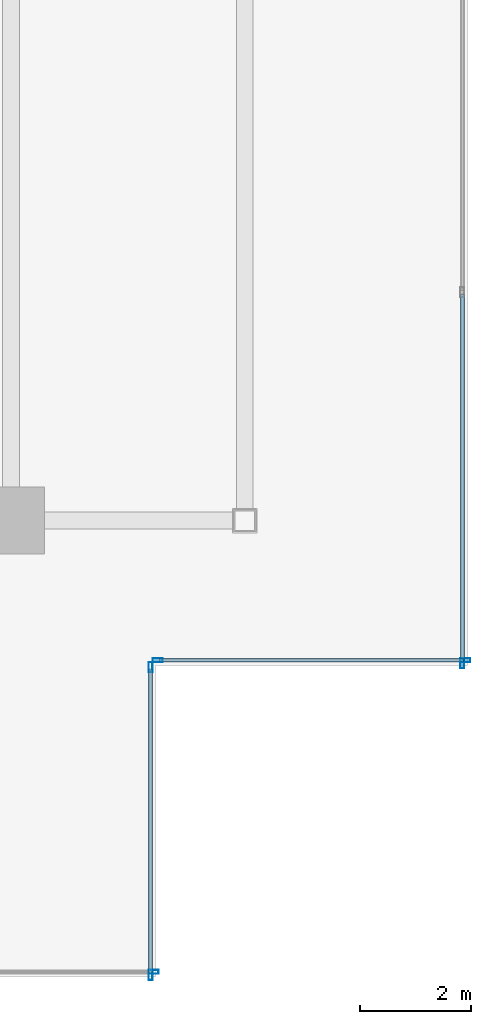
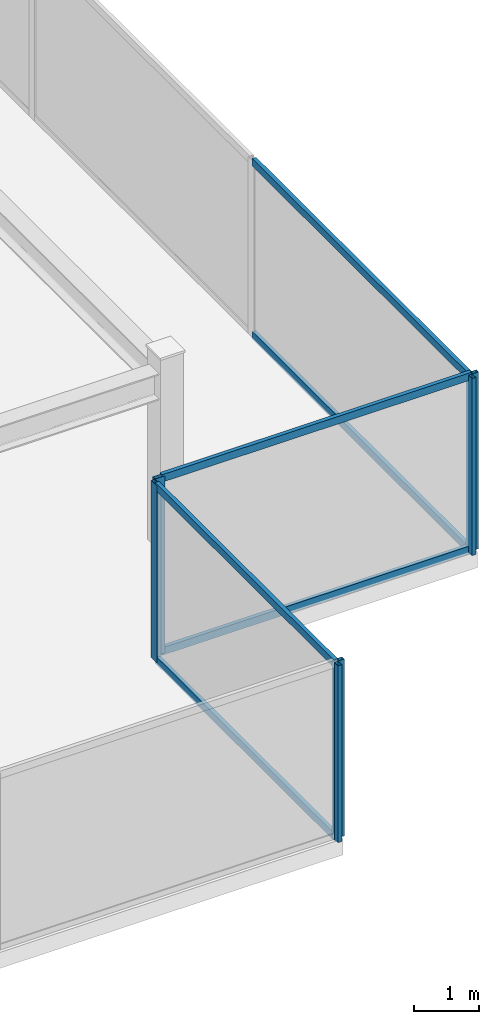
# One storey, part 16 of 25: 12 members, 4 elements without a shape of their own.
"""IFC4 building model written with IfcOpenShell, lengths in metres."""

from ifc_helpers import new_model, si_unit, direction, frame, origin, origin_2d, place, context, subcontext, project, spatial, hollow_rectangle, extrude, source, transform, mapped, material, material_profile, profile_set, type_object, type_shapes, element, aggregate, save


model = new_model("IFC4")

# Units and contexts
model_context = context("Model", 3, precision=1e-05, world=origin(), true_north=direction((0.0, 1.0)))
body_context = subcontext(model_context, "Body", "Model", "MODEL_VIEW")
ifc_project = project(units=[si_unit("LENGTHUNIT", "METRE"), si_unit("AREAUNIT", "SQUARE_METRE"), si_unit("VOLUMEUNIT", "CUBIC_METRE"), si_unit("PLANEANGLEUNIT", "RADIAN"), si_unit("MASSUNIT", "GRAM", prefix="KILO")], contexts=[model_context])

# Site, building, storey
site_placement = place(None, origin())
site = spatial("IfcSite", under=ifc_project, at=site_placement, CompositionType="ELEMENT")
building_placement = place(site_placement, origin())
building = spatial("IfcBuilding", under=site, at=building_placement, Name="Krantzveldt Concourse Tower", CompositionType="ELEMENT")
storey_placement = place(building_placement, frame((0.0, 0.0, 374.64990234375)))
storey = spatial("IfcBuildingStorey", under=building, at=storey_placement, Name="L92", CompositionType="ELEMENT", Elevation=374.64990234375)

# Curtain wall, members
ifc_material = material(Name="Anodised aluminium 6063-T6", Category="aluminium")
curtain_wall_type = type_object("IfcCurtainWallType", Name="CW7", PredefinedType="USERDEFINED", material=ifc_material)
curtain_wall_1_placement = place(storey_placement, origin())
curtain_wall_1 = element("IfcCurtainWall", 1, at=curtain_wall_1_placement, inside=storey, type_object=curtain_wall_type, Name="CW-L92-EAST-03", ObjectType="UNITISED CURTAIN WALL", PredefinedType="USERDEFINED")
ifc_material_profile_1 = material_profile(ifc_material, hollow_rectangle(XDim=0.070068359375, YDim=0.139892578125, WallThickness=0.0048828125, at=origin_2d()), Name="Anodised aluminium 6063-T6", Category="aluminium")
ifc_profile_set_1 = profile_set([ifc_material_profile_1], Name="Anodised aluminium 6063-T6 - ALU-TRAN 140x70x5")
member_type_1 = type_object("IfcMemberType", Name="CW-TRN-150", PredefinedType="USERDEFINED", material=ifc_profile_set_1)
shared_shape_1 = source(origin(), body_context, "Body", "SweptSolid", [
    extrude(hollow_rectangle(XDim=0.070068359375, YDim=0.139892578125, WallThickness=0.0048828125, at=origin_2d()), origin(), (0.0, 0.0, 1.0), 6.594970703125),
])
member_1_placement = place(storey_placement, frame((54.909912109375, 13.3701171875, 0.03515625), z_axis=(0.0, 1.0, 0.0), x_axis=(-1.0, 0.0, 0.0)))
member_1 = element("IfcMember", 2, at=member_1_placement, type_object=member_type_1, Name="CW-CRN transom 1.1", ObjectType="TRANSOM", PredefinedType="USERDEFINED", context=body_context, shape_type="MappedRepresentation", body=[
    mapped(shared_shape_1, transform((0.0, 0.0, 0.0), x_axis=(1.0, 0.0, 0.0), y_axis=(0.0, 1.0, 0.0), z_axis=(0.0, 0.0, 1.0), scale=1.0)),
])
member_2_placement = place(storey_placement, frame((54.909912109375, 13.3701171875, 3.26513671875), z_axis=(0.0, 1.0, 0.0), x_axis=(-1.0, 0.0, 0.0)))
member_2 = element("IfcMember", 3, at=member_2_placement, type_object=member_type_1, Name="CW-CRN transom 1.2", ObjectType="TRANSOM", PredefinedType="USERDEFINED", context=body_context, shape_type="MappedRepresentation", body=[
    mapped(shared_shape_1, transform((0.0, 0.0, 0.0), x_axis=(1.0, 0.0, 0.0), y_axis=(0.0, 1.0, 0.0), z_axis=(0.0, 0.0, 1.0), scale=1.0)),
])

curtain_wall_2_placement = place(storey_placement, origin())
curtain_wall_2 = element("IfcCurtainWall", 4, at=curtain_wall_2_placement, inside=storey, type_object=curtain_wall_type, Name="CW-L92-EAST-01", ObjectType="UNITISED CURTAIN WALL", PredefinedType="USERDEFINED")
shared_shape_2 = source(origin(), body_context, "Body", "SweptSolid", [
    extrude(hollow_rectangle(XDim=0.070068359375, YDim=0.139892578125, WallThickness=0.0048828125, at=origin_2d()), origin(), (0.0, 0.0, 1.0), 5.4599609375),
])
type_shapes(member_type_1, [shared_shape_1, shared_shape_2])
member_3_placement = place(storey_placement, frame((49.31005859375, 7.77001953125, 0.03515625), z_axis=(0.0, 1.0, 0.0), x_axis=(-1.0, 0.0, 0.0)))
member_3 = element("IfcMember", 5, at=member_3_placement, type_object=member_type_1, Name="CW-CRN transom 1.1", ObjectType="TRANSOM", PredefinedType="USERDEFINED", context=body_context, shape_type="MappedRepresentation", body=[
    mapped(shared_shape_2, transform((0.0, 0.0, 0.0), x_axis=(1.0, 0.0, 0.0), y_axis=(0.0, 1.0, 0.0), z_axis=(0.0, 0.0, 1.0), scale=1.0)),
])
member_4_placement = place(storey_placement, frame((49.31005859375, 7.77001953125, 3.26513671875), z_axis=(0.0, 1.0, 0.0), x_axis=(-1.0, 0.0, 0.0)))
member_4 = element("IfcMember", 6, at=member_4_placement, type_object=member_type_1, Name="CW-CRN transom 1.2", ObjectType="TRANSOM", PredefinedType="USERDEFINED", context=body_context, shape_type="MappedRepresentation", body=[
    mapped(shared_shape_2, transform((0.0, 0.0, 0.0), x_axis=(1.0, 0.0, 0.0), y_axis=(0.0, 1.0, 0.0), z_axis=(0.0, 0.0, 1.0), scale=1.0)),
])

curtain_wall_3_placement = place(storey_placement, origin())
curtain_wall_3 = element("IfcCurtainWall", 7, at=curtain_wall_3_placement, inside=storey, type_object=curtain_wall_type, Name="CW-L92-EAST-02", ObjectType="UNITISED CURTAIN WALL", PredefinedType="USERDEFINED")
member_5_placement = place(storey_placement, frame((49.469970703125, 13.389892578125, 0.03515625), z_axis=(1.0, 0.0, 0.0), x_axis=(0.0, 1.0, 0.0)))
member_5 = element("IfcMember", 8, at=member_5_placement, type_object=member_type_1, Name="CW-CRN transom 1.1", ObjectType="TRANSOM", PredefinedType="USERDEFINED", context=body_context, shape_type="MappedRepresentation", body=[
    mapped(shared_shape_2, transform((0.0, 0.0, 0.0), x_axis=(1.0, 0.0, 0.0), y_axis=(0.0, 1.0, 0.0), z_axis=(0.0, 0.0, 1.0), scale=1.0)),
])
member_6_placement = place(storey_placement, frame((49.469970703125, 13.389892578125, 3.26513671875), z_axis=(1.0, 0.0, 0.0), x_axis=(0.0, 1.0, 0.0)))
member_6 = element("IfcMember", 9, at=member_6_placement, type_object=member_type_1, Name="CW-CRN transom 1.2", ObjectType="TRANSOM", PredefinedType="USERDEFINED", context=body_context, shape_type="MappedRepresentation", body=[
    mapped(shared_shape_2, transform((0.0, 0.0, 0.0), x_axis=(1.0, 0.0, 0.0), y_axis=(0.0, 1.0, 0.0), z_axis=(0.0, 0.0, 1.0), scale=1.0)),
])

# Curtain wall, member
curtain_wall_4_placement = place(storey_placement, origin())
curtain_wall_4 = element("IfcCurtainWall", 10, at=curtain_wall_4_placement, inside=storey, type_object=curtain_wall_type, Name="CW-L92-EAST-00", ObjectType="UNITISED CURTAIN WALL", PredefinedType="USERDEFINED")
ifc_material_profile_2 = material_profile(ifc_material, hollow_rectangle(XDim=0.070068359375, YDim=0.179931640625, WallThickness=0.0048828125, at=origin_2d()), Name="Anodised aluminium 6063-T6", Category="aluminium")
ifc_profile_set_2 = profile_set([ifc_material_profile_2], Name="Anodised aluminium 6063-T6 - ALU-MULL 180x70x5")
member_type_2 = type_object("IfcMemberType", Name="CW-MUL-180", PredefinedType="MULLION", material=ifc_profile_set_2)
shared_shape_3 = source(origin(), body_context, "Body", "SweptSolid", [
    extrude(hollow_rectangle(XDim=0.070068359375, YDim=0.179931640625, WallThickness=0.0048828125, at=origin_2d()), origin(), (0.0, 0.0, 1.0), 3.300048828125),
])
type_shapes(member_type_2, [shared_shape_3])
member_7_placement = place(storey_placement, frame((49.364990234375, 7.7900390625, 0.0), z_axis=(0.0, 0.0, 1.0), x_axis=(0.0, 1.0, 0.0)))
member_7 = element("IfcMember", 11, at=member_7_placement, type_object=member_type_2, Name="CW-CRN mullion 3", PredefinedType="MULLION", context=body_context, shape_type="MappedRepresentation", body=[
    mapped(shared_shape_3, transform((0.0, 0.0, 0.0), x_axis=(1.0, 0.0, 0.0), y_axis=(0.0, 1.0, 0.0), z_axis=(0.0, 0.0, 1.0), scale=1.0)),
])
aggregate(curtain_wall_4, [member_7])

# Member
member_8_placement = place(storey_placement, frame((49.31005859375, 7.735107421875, 0.0), z_axis=(0.0, 0.0, 1.0), x_axis=(-1.0, 0.0, 0.0)))
member_8 = element("IfcMember", 12, at=member_8_placement, type_object=member_type_2, Name="CW-CRN mullion 1", PredefinedType="MULLION", context=body_context, shape_type="MappedRepresentation", body=[
    mapped(shared_shape_3, transform((0.0, 0.0, 0.0), x_axis=(1.0, 0.0, 0.0), y_axis=(0.0, 1.0, 0.0), z_axis=(0.0, 0.0, 1.0), scale=1.0)),
])

member_9_placement = place(storey_placement, frame((49.31005859375, 13.264892578125, 0.0), z_axis=(0.0, 0.0, 1.0), x_axis=(-1.0, 0.0, 0.0)))
member_9 = element("IfcMember", 13, at=member_9_placement, type_object=member_type_2, Name="CW-CRN mullion 2", PredefinedType="MULLION", context=body_context, shape_type="MappedRepresentation", body=[
    mapped(shared_shape_3, transform((0.0, 0.0, 0.0), x_axis=(1.0, 0.0, 0.0), y_axis=(0.0, 1.0, 0.0), z_axis=(0.0, 0.0, 1.0), scale=1.0)),
])

aggregate(curtain_wall_2, [member_8, member_9, member_3, member_4])

member_10_placement = place(storey_placement, frame((49.43505859375, 13.389892578125, 0.0), z_axis=(0.0, 0.0, 1.0), x_axis=(0.0, 1.0, 0.0)))
member_10 = element("IfcMember", 14, at=member_10_placement, type_object=member_type_2, Name="CW-CRN mullion 1", PredefinedType="MULLION", context=body_context, shape_type="MappedRepresentation", body=[
    mapped(shared_shape_3, transform((0.0, 0.0, 0.0), x_axis=(1.0, 0.0, 0.0), y_axis=(0.0, 1.0, 0.0), z_axis=(0.0, 0.0, 1.0), scale=1.0)),
])

member_11_placement = place(storey_placement, frame((54.965087890625, 13.389892578125, 0.0), z_axis=(0.0, 0.0, 1.0), x_axis=(0.0, 1.0, 0.0)))
member_11 = element("IfcMember", 15, at=member_11_placement, type_object=member_type_2, Name="CW-CRN mullion 2", PredefinedType="MULLION", context=body_context, shape_type="MappedRepresentation", body=[
    mapped(shared_shape_3, transform((0.0, 0.0, 0.0), x_axis=(1.0, 0.0, 0.0), y_axis=(0.0, 1.0, 0.0), z_axis=(0.0, 0.0, 1.0), scale=1.0)),
])

aggregate(curtain_wall_3, [member_10, member_11, member_5, member_6])

member_12_placement = place(storey_placement, frame((54.909912109375, 13.3349609375, 0.0), z_axis=(0.0, 0.0, 1.0), x_axis=(-1.0, 0.0, 0.0)))
member_12 = element("IfcMember", 16, at=member_12_placement, type_object=member_type_2, Name="CW-CRN mullion 1", PredefinedType="MULLION", context=body_context, shape_type="MappedRepresentation", body=[
    mapped(shared_shape_3, transform((0.0, 0.0, 0.0), x_axis=(1.0, 0.0, 0.0), y_axis=(0.0, 1.0, 0.0), z_axis=(0.0, 0.0, 1.0), scale=1.0)),
])

aggregate(curtain_wall_1, [member_12, member_1, member_2])

save(model, "model.ifc")
